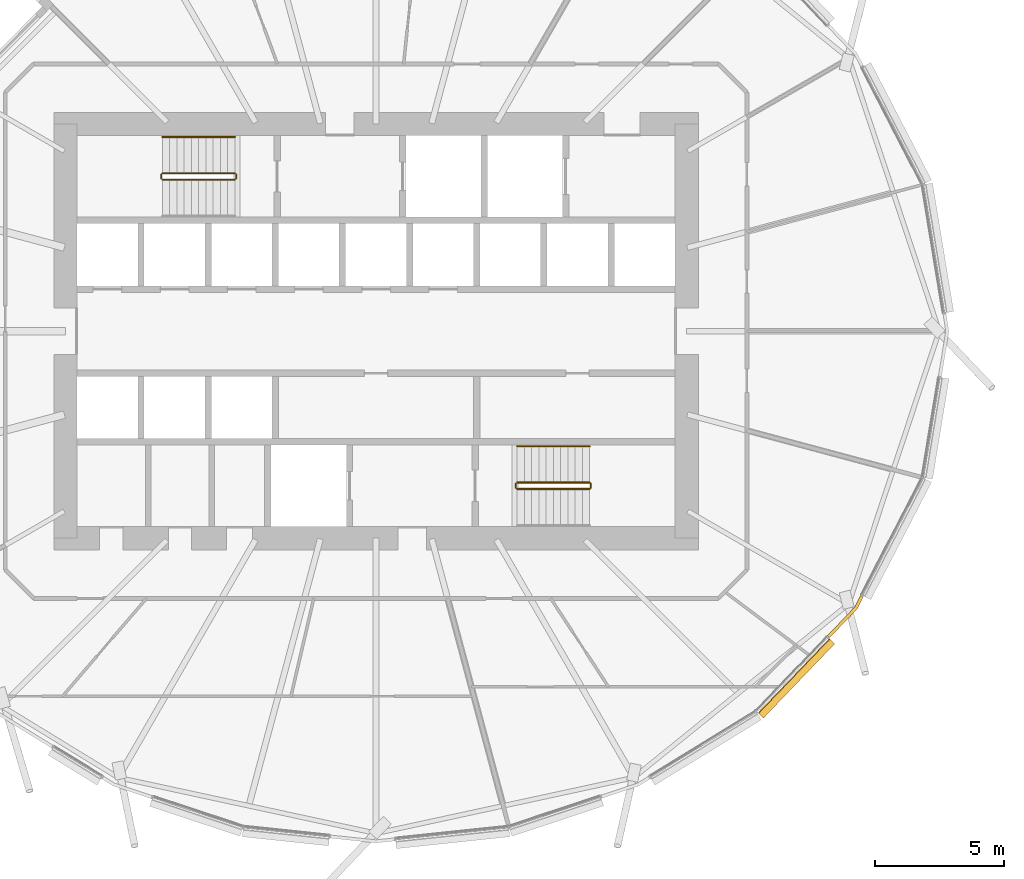
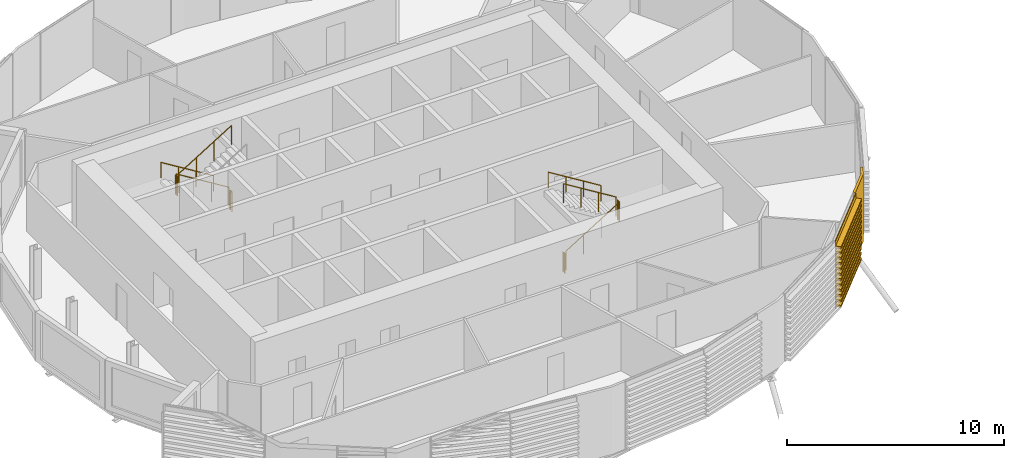
# One storey, part 32 of 36: 10 railings, 2 coverings.
"""IFC4 building model written with IfcOpenShell, lengths in metres."""

from ifc_helpers import new_model, si_unit, direction, frame, origin, origin_2d, place, context, subcontext, project, spatial, polyline, circle, outline, extrude, material, layer, layer_set, material_profile, profile_set, type_object, element, save


model = new_model("IFC4")

# Units and contexts
model_context = context("Model", 3, precision=1e-05, world=origin(), true_north=direction((0.0, 1.0)))
body_context = subcontext(model_context, "Body", "Model", "MODEL_VIEW")
ifc_project = project(units=[si_unit("LENGTHUNIT", "METRE"), si_unit("AREAUNIT", "SQUARE_METRE"), si_unit("VOLUMEUNIT", "CUBIC_METRE"), si_unit("PLANEANGLEUNIT", "RADIAN"), si_unit("MASSUNIT", "GRAM", prefix="KILO")], contexts=[model_context])

# Site, building, storey
site_placement = place(None, origin())
site = spatial("IfcSite", under=ifc_project, at=site_placement, CompositionType="ELEMENT")
building_placement = place(site_placement, origin())
building = spatial("IfcBuilding", under=site, at=building_placement, Name="Rimbun Link Towers", CompositionType="ELEMENT")
storey_placement = place(building_placement, frame((0.0, 0.0, 37.60009765625)))
storey = spatial("IfcBuildingStorey", under=building, at=storey_placement, Name="L08", CompositionType="ELEMENT", Elevation=37.60009765625)

# Covering
ifc_material_1 = material(Name="Terracotta", Category="masonry")
ifc_layer = layer(ifc_material_1, 0.1201171875)
ifc_layer_set = layer_set([ifc_layer], Name="LINK PIER terracotta cladding 120")
covering_type_1 = type_object("IfcCoveringType", Name="LINK PIER terracotta cladding 120", PredefinedType="CLADDING", material=ifc_layer_set)
covering_1_placement = place(storey_placement, origin())
element("IfcCovering", 1, at=covering_1_placement, inside=storey, type_object=covering_type_1, Name="LINK PIER cladding", PredefinedType="CLADDING", context=body_context, shape_type="SweptSolid", body=[
    extrude(outline(polyline([(-13.026123046875, -10.21044921875), (-13.26513671875, -10.672119140625), (-14.317138671875, -11.769287109375), (-14.23046875, -11.8525390625), (-13.16650390625, -10.74267578125), (-12.919677734375, -10.265625), (-13.026123046875, -10.21044921875)])), origin(), (0.0, 0.0, 1.0), 3.7998046875),
])

# Railings
ifc_material_2 = material(Name="Stainless steel grade 316", Category="steel")
railing_type_1 = type_object("IfcRailingType", Name="Stair guard", PredefinedType="GUARDRAIL", material=ifc_material_2)
railing_1_placement = place(storey_placement, frame((-37.199951171875, 6.10009765625, 0.172607421875)))
element("IfcRailing", 2, at=railing_1_placement, inside=storey, type_object=railing_type_1, Name="L08 ST1 stair guard 1", PredefinedType="GUARDRAIL", context=body_context, shape_type="SweptSolid", body=[
    extrude(circle(Radius=0.02392578125, at=origin_2d()), frame((0.0, 0.0, 1.076171875), z_axis=(-0.851089632645, 0.0, 0.525020415988), x_axis=(0.0, -1.0, 0.0)), (0.0, 0.0, 1.0), 3.2900390625),
    extrude(circle(Radius=0.02099609375, at=origin_2d()), origin(), (0.0, 0.0, 1.0), 1.052001953125),
    extrude(circle(Radius=0.02099609375, at=origin_2d()), frame((-0.933349609375, 0.0, 0.57568359375)), (0.0, 0.0, 1.0), 1.052001953125),
    extrude(circle(Radius=0.02099609375, at=origin_2d()), frame((-1.86669921875, 0.0, 1.151611328125)), (0.0, 0.0, 1.0), 1.052001953125),
    extrude(circle(Radius=0.02099609375, at=origin_2d()), frame((-2.800048828125, 0.0, 1.727294921875)), (0.0, 0.0, 1.0), 1.052001953125),
])
railing_2_placement = place(storey_placement, frame((-40.050048828125, 6.050048828125, 1.89990234375)))
element("IfcRailing", 3, at=railing_2_placement, inside=storey, type_object=railing_type_1, Name="L08 ST1 stair guard 2", PredefinedType="GUARDRAIL", context=body_context, shape_type="SweptSolid", body=[
    extrude(circle(Radius=0.02392578125, at=origin_2d()), frame((0.0, 0.0, 1.076171875), z_axis=(0.0, -1.0, 0.0), x_axis=(1.0, 0.0, 0.0)), (0.0, 0.0, 1.0), 0.150146484375),
    extrude(circle(Radius=0.02099609375, at=origin_2d()), origin(), (0.0, 0.0, 1.0), 1.052001953125),
    extrude(circle(Radius=0.02099609375, at=origin_2d()), frame((0.0, -0.150146484375, 0.0)), (0.0, 0.0, 1.0), 1.052001953125),
])
railing_3_placement = place(storey_placement, frame((-40.0, 5.85009765625, 2.072509765625)))
element("IfcRailing", 4, at=railing_3_placement, inside=storey, type_object=railing_type_1, Name="L08 ST1 stair guard 3", PredefinedType="GUARDRAIL", context=body_context, shape_type="SweptSolid", body=[
    extrude(circle(Radius=0.02392578125, at=origin_2d()), frame((0.0, 0.0, 1.076171875), z_axis=(0.851089632645, 0.0, 0.525020415988), x_axis=(0.0, 1.0, 0.0)), (0.0, 0.0, 1.0), 3.2900390625),
    extrude(circle(Radius=0.02099609375, at=origin_2d()), origin(), (0.0, 0.0, 1.0), 1.052001953125),
    extrude(circle(Radius=0.02099609375, at=origin_2d()), frame((0.933349609375, 0.0, 0.57568359375)), (0.0, 0.0, 1.0), 1.052001953125),
    extrude(circle(Radius=0.02099609375, at=origin_2d()), frame((1.86669921875, 0.0, 1.151611328125)), (0.0, 0.0, 1.0), 1.052001953125),
    extrude(circle(Radius=0.02099609375, at=origin_2d()), frame((2.800048828125, 0.0, 1.727294921875)), (0.0, 0.0, 1.0), 1.052001953125),
])
railing_4_placement = place(storey_placement, frame((-37.14990234375, 6.050048828125, 0.0)))
element("IfcRailing", 5, at=railing_4_placement, inside=storey, type_object=railing_type_1, Name="L08 ST1 stair guard 4", PredefinedType="GUARDRAIL", context=body_context, shape_type="SweptSolid", body=[
    extrude(circle(Radius=0.02392578125, at=origin_2d()), frame((0.0, 0.0, 1.076171875), z_axis=(0.0, -1.0, 0.0), x_axis=(1.0, 0.0, 0.0)), (0.0, 0.0, 1.0), 0.150146484375),
    extrude(circle(Radius=0.02099609375, at=origin_2d()), origin(), (0.0, 0.0, 1.0), 1.052001953125),
    extrude(circle(Radius=0.02099609375, at=origin_2d()), frame((0.0, -0.150146484375, 0.0)), (0.0, 0.0, 1.0), 1.052001953125),
])
railing_5_placement = place(storey_placement, frame((-26.300048828125, -6.10009765625, 0.172607421875)))
element("IfcRailing", 6, at=railing_5_placement, inside=storey, type_object=railing_type_1, Name="L08 ST2 stair guard 1", PredefinedType="GUARDRAIL", context=body_context, shape_type="SweptSolid", body=[
    extrude(circle(Radius=0.02392578125, at=origin_2d()), frame((0.0, 0.0, 1.076171875), z_axis=(0.851089632645, 0.0, 0.525020415988), x_axis=(0.0, 1.0, 0.0)), (0.0, 0.0, 1.0), 3.2900390625),
    extrude(circle(Radius=0.02099609375, at=origin_2d()), origin(), (0.0, 0.0, 1.0), 1.052001953125),
    extrude(circle(Radius=0.02099609375, at=origin_2d()), frame((0.933349609375, 0.0, 0.57568359375)), (0.0, 0.0, 1.0), 1.052001953125),
    extrude(circle(Radius=0.02099609375, at=origin_2d()), frame((1.86669921875, 0.0, 1.151611328125)), (0.0, 0.0, 1.0), 1.052001953125),
    extrude(circle(Radius=0.02099609375, at=origin_2d()), frame((2.800048828125, 0.0, 1.727294921875)), (0.0, 0.0, 1.0), 1.052001953125),
])
railing_6_placement = place(storey_placement, frame((-23.449951171875, -6.050048828125, 1.89990234375)))
element("IfcRailing", 7, at=railing_6_placement, inside=storey, type_object=railing_type_1, Name="L08 ST2 stair guard 2", PredefinedType="GUARDRAIL", context=body_context, shape_type="SweptSolid", body=[
    extrude(circle(Radius=0.02392578125, at=origin_2d()), frame((0.0, 0.0, 1.076171875), z_axis=(0.0, 1.0, 0.0), x_axis=(-1.0, 0.0, 0.0)), (0.0, 0.0, 1.0), 0.150146484375),
    extrude(circle(Radius=0.02099609375, at=origin_2d()), origin(), (0.0, 0.0, 1.0), 1.052001953125),
    extrude(circle(Radius=0.02099609375, at=origin_2d()), frame((0.0, 0.150146484375, 0.0)), (0.0, 0.0, 1.0), 1.052001953125),
])
railing_7_placement = place(storey_placement, frame((-23.5, -5.85009765625, 2.072509765625)))
element("IfcRailing", 8, at=railing_7_placement, inside=storey, type_object=railing_type_1, Name="L08 ST2 stair guard 3", PredefinedType="GUARDRAIL", context=body_context, shape_type="SweptSolid", body=[
    extrude(circle(Radius=0.02392578125, at=origin_2d()), frame((0.0, 0.0, 1.076171875), z_axis=(-0.851089632645, 0.0, 0.525020415988), x_axis=(0.0, -1.0, 0.0)), (0.0, 0.0, 1.0), 3.2900390625),
    extrude(circle(Radius=0.02099609375, at=origin_2d()), origin(), (0.0, 0.0, 1.0), 1.052001953125),
    extrude(circle(Radius=0.02099609375, at=origin_2d()), frame((-0.933349609375, 0.0, 0.57568359375)), (0.0, 0.0, 1.0), 1.052001953125),
    extrude(circle(Radius=0.02099609375, at=origin_2d()), frame((-1.86669921875, 0.0, 1.151611328125)), (0.0, 0.0, 1.0), 1.052001953125),
    extrude(circle(Radius=0.02099609375, at=origin_2d()), frame((-2.800048828125, 0.0, 1.727294921875)), (0.0, 0.0, 1.0), 1.052001953125),
])
railing_8_placement = place(storey_placement, frame((-26.35009765625, -6.050048828125, 0.0)))
element("IfcRailing", 9, at=railing_8_placement, inside=storey, type_object=railing_type_1, Name="L08 ST2 stair guard 4", PredefinedType="GUARDRAIL", context=body_context, shape_type="SweptSolid", body=[
    extrude(circle(Radius=0.02392578125, at=origin_2d()), frame((0.0, 0.0, 1.076171875), z_axis=(0.0, 1.0, 0.0), x_axis=(-1.0, 0.0, 0.0)), (0.0, 0.0, 1.0), 0.150146484375),
    extrude(circle(Radius=0.02099609375, at=origin_2d()), origin(), (0.0, 0.0, 1.0), 1.052001953125),
    extrude(circle(Radius=0.02099609375, at=origin_2d()), frame((0.0, 0.150146484375, 0.0)), (0.0, 0.0, 1.0), 1.052001953125),
])
ifc_material_3 = material(Name="Stainless steel grade 316", Category="steel")
railing_type_2 = type_object("IfcRailingType", Name="Stair handrail", PredefinedType="HANDRAIL", material=ifc_material_3)
for number, where, name in (
    (10, (-37.199951171875, 7.5, 0.172607421875), "L08 ST1 stair handrail 1"),
    (11, (-23.5, -4.449951171875, 2.072509765625), "L08 ST2 stair handrail 2"),
):
    element("IfcRailing", number, at=place(storey_placement, frame(where)), inside=storey, type_object=railing_type_2, Name=name, PredefinedType="HANDRAIL", context=body_context, shape_type="SweptSolid", body=[
        extrude(circle(Radius=0.02392578125, at=origin_2d()), frame((0.0, 0.0, 0.8759765625), z_axis=(-0.851089632645, 0.0, 0.525020415988), x_axis=(0.0, -1.0, 0.0)), (0.0, 0.0, 1.0), 3.2900390625),
        extrude(circle(Radius=0.02099609375, at=origin_2d()), origin(), (0.0, 0.0, 1.0), 0.851806640625),
        extrude(circle(Radius=0.02099609375, at=origin_2d()), frame((-0.933349609375, 0.0, 0.57568359375)), (0.0, 0.0, 1.0), 0.851806640625),
        extrude(circle(Radius=0.02099609375, at=origin_2d()), frame((-1.86669921875, 0.0, 1.151611328125)), (0.0, 0.0, 1.0), 0.851806640625),
        extrude(circle(Radius=0.02099609375, at=origin_2d()), frame((-2.800048828125, 0.0, 1.727294921875)), (0.0, 0.0, 1.0), 0.851806640625),
    ])

# Covering
ifc_material_4 = material(Name="Terracotta", Category="masonry")
ifc_material_profile = material_profile(ifc_material_4, outline(polyline([(0.123046875, 0.0), (0.1630859375, 0.0), (0.1630859375, 0.10009765625), (0.423095703125, 0.10009765625), (0.423095703125, 0.219970703125), (0.1630859375, 0.219970703125), (0.1630859375, 0.39990234375), (0.423095703125, 0.39990234375), (0.423095703125, 0.52001953125), (0.1630859375, 0.52001953125), (0.1630859375, 0.699951171875), (0.423095703125, 0.699951171875), (0.423095703125, 0.820068359375), (0.1630859375, 0.820068359375), (0.1630859375, 1.0), (0.423095703125, 1.0), (0.423095703125, 1.1201171875), (0.1630859375, 1.1201171875), (0.1630859375, 1.300048828125), (0.423095703125, 1.300048828125), (0.423095703125, 1.419921875), (0.1630859375, 1.419921875), (0.1630859375, 1.60009765625), (0.423095703125, 1.60009765625), (0.423095703125, 1.719970703125), (0.1630859375, 1.719970703125), (0.1630859375, 1.89990234375), (0.423095703125, 1.89990234375), (0.423095703125, 2.02001953125), (0.1630859375, 2.02001953125), (0.1630859375, 2.199951171875), (0.423095703125, 2.199951171875), (0.423095703125, 2.320068359375), (0.1630859375, 2.320068359375), (0.1630859375, 2.5), (0.423095703125, 2.5), (0.423095703125, 2.6201171875), (0.1630859375, 2.6201171875), (0.1630859375, 2.800048828125), (0.423095703125, 2.800048828125), (0.423095703125, 2.919921875), (0.1630859375, 2.919921875), (0.1630859375, 3.10009765625), (0.423095703125, 3.10009765625), (0.423095703125, 3.219970703125), (0.1630859375, 3.219970703125), (0.1630859375, 3.39990234375), (0.423095703125, 3.39990234375), (0.423095703125, 3.52001953125), (0.1630859375, 3.52001953125), (0.1630859375, 3.800048828125), (0.123046875, 3.800048828125), (0.123046875, 0.0)])), Name="BAGUETTE 120X300")
ifc_profile_set = profile_set([ifc_material_profile], Name="Terracotta")
covering_type_2 = type_object("IfcCoveringType", Name="TERRACOTTA BAGUETTE 120X300 H3800", PredefinedType="CLADDING", material=ifc_profile_set)
covering_2_placement = place(storey_placement, frame((-14.337890625, -11.791015625, 0.0), z_axis=(-0.692026728068, -0.721871877579, 0.0), x_axis=(0.721871877579, -0.692026728068, 0.0)))
element("IfcCovering", 12, at=covering_2_placement, inside=storey, type_object=covering_type_2, Name="TERRACOTTA BAGUETTE", PredefinedType="CLADDING", context=body_context, shape_type="SweptSolid", body=[
    extrude(outline(polyline([(0.123046875, 0.0), (0.1630859375, 0.0), (0.1630859375, 0.10009765625), (0.423095703125, 0.10009765625), (0.423095703125, 0.219970703125), (0.1630859375, 0.219970703125), (0.1630859375, 0.39990234375), (0.423095703125, 0.39990234375), (0.423095703125, 0.52001953125), (0.1630859375, 0.52001953125), (0.1630859375, 0.699951171875), (0.423095703125, 0.699951171875), (0.423095703125, 0.820068359375), (0.1630859375, 0.820068359375), (0.1630859375, 1.0), (0.423095703125, 1.0), (0.423095703125, 1.1201171875), (0.1630859375, 1.1201171875), (0.1630859375, 1.300048828125), (0.423095703125, 1.300048828125), (0.423095703125, 1.419921875), (0.1630859375, 1.419921875), (0.1630859375, 1.60009765625), (0.423095703125, 1.60009765625), (0.423095703125, 1.719970703125), (0.1630859375, 1.719970703125), (0.1630859375, 1.89990234375), (0.423095703125, 1.89990234375), (0.423095703125, 2.02001953125), (0.1630859375, 2.02001953125), (0.1630859375, 2.199951171875), (0.423095703125, 2.199951171875), (0.423095703125, 2.320068359375), (0.1630859375, 2.320068359375), (0.1630859375, 2.5), (0.423095703125, 2.5), (0.423095703125, 2.6201171875), (0.1630859375, 2.6201171875), (0.1630859375, 2.800048828125), (0.423095703125, 2.800048828125), (0.423095703125, 2.919921875), (0.1630859375, 2.919921875), (0.1630859375, 3.10009765625), (0.423095703125, 3.10009765625), (0.423095703125, 3.219970703125), (0.1630859375, 3.219970703125), (0.1630859375, 3.39990234375), (0.423095703125, 3.39990234375), (0.423095703125, 3.52001953125), (0.1630859375, 3.52001953125), (0.1630859375, 3.800048828125), (0.123046875, 3.800048828125), (0.123046875, 0.0)])), origin(), (0.0, 0.0, 1.0), 3.9755859375),
])

save(model, "model.ifc")
